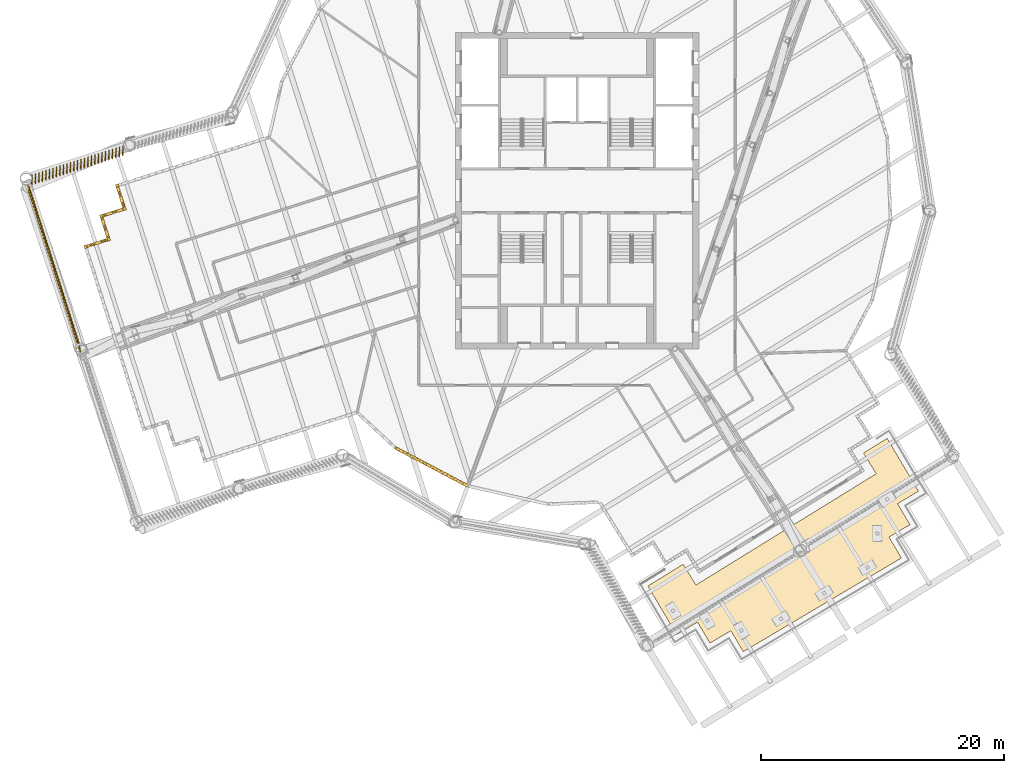
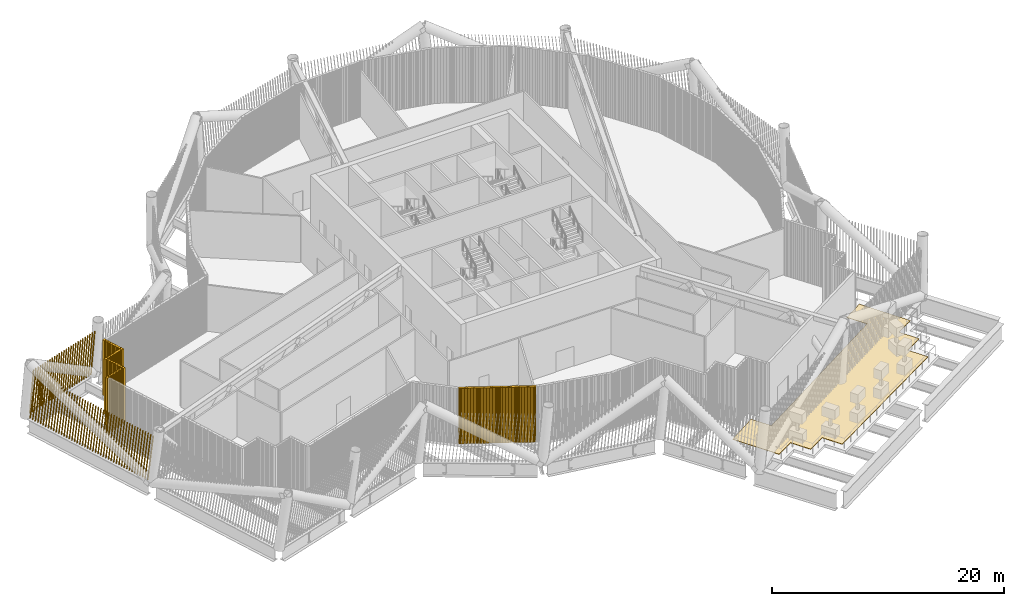
# One storey, part 32 of 40: 12 shading devices, 1 covering.
"""IFC4 building model written with IfcOpenShell, lengths in metres."""

from ifc_helpers import new_model, si_unit, direction, frame, frame_2d, origin, origin_2d, place, context, subcontext, project, spatial, polyline, rectangle, outline, composite_profile, extrude, material, layer, layer_set, type_object, element, save


model = new_model("IFC4")

# Units and contexts
model_context = context("Model", 3, precision=1e-05, world=origin(), true_north=direction((0.0, 1.0)))
body_context = subcontext(model_context, "Body", "Model", "MODEL_VIEW")
ifc_project = project(units=[si_unit("LENGTHUNIT", "METRE"), si_unit("AREAUNIT", "SQUARE_METRE"), si_unit("VOLUMEUNIT", "CUBIC_METRE"), si_unit("PLANEANGLEUNIT", "RADIAN"), si_unit("MASSUNIT", "GRAM", prefix="KILO")], contexts=[model_context])

# Site, building, storey
site_placement = place(None, origin())
site = spatial("IfcSite", under=ifc_project, at=site_placement, CompositionType="ELEMENT")
building_placement = place(site_placement, origin())
building = spatial("IfcBuilding", under=site, at=building_placement, Name="Tarsis Ring Headquarters", CompositionType="ELEMENT")
storey_placement = place(building_placement, frame((0.0, 0.0, 354.800048828125)))
storey = spatial("IfcBuildingStorey", under=building, at=storey_placement, Name="L84", CompositionType="ELEMENT", Elevation=354.800048828125)

# Shading devices
ifc_material_1 = material(Name="Aluminium louvre", Category="aluminium")
shading_device_type_1 = type_object("IfcShadingDeviceType", Name="Plant louvre fin", PredefinedType="USERDEFINED", material=ifc_material_1)
shading_device_1_placement = place(storey_placement, frame((-14.9443359375, -21.119140625, 0.0), z_axis=(0.0, 0.0, 1.0), x_axis=(0.884425395903, -0.466693302339, 0.0)))
element("IfcShadingDevice", 1, at=shading_device_1_placement, inside=storey, type_object=shading_device_type_1, Name="Louvre L84-03", ObjectType="Louvre", PredefinedType="USERDEFINED", context=body_context, shape_type="SweptSolid", body=[
    extrude(composite_profile([rectangle(XDim=0.1201171875, YDim=0.239990234375, at=frame_2d((0.076171875, 0.0), x_axis=(0.990268068742, 0.13917310096))), rectangle(XDim=0.1201171875, YDim=0.239990234375, at=frame_2d((0.202392578125, 0.0), x_axis=(0.990268068742, 0.13917310096))), rectangle(XDim=0.1201171875, YDim=0.239990234375, at=frame_2d((0.328857421875, 0.0), x_axis=(0.990268068742, 0.13917310096))), rectangle(XDim=0.1201171875, YDim=0.239990234375, at=frame_2d((0.455078125, 0.0), x_axis=(0.990268068742, 0.13917310096))), rectangle(XDim=0.1201171875, YDim=0.239990234375, at=frame_2d((0.58154296875, 0.0), x_axis=(0.990268068742, 0.13917310096))), rectangle(XDim=0.1201171875, YDim=0.239990234375, at=frame_2d((0.707763671875, 0.0), x_axis=(0.990268068742, 0.13917310096))), rectangle(XDim=0.1201171875, YDim=0.239990234375, at=frame_2d((0.834228515625, 0.0), x_axis=(0.990268068742, 0.13917310096))), rectangle(XDim=0.1201171875, YDim=0.239990234375, at=frame_2d((0.96044921875, 0.0), x_axis=(0.990268068742, 0.13917310096))), rectangle(XDim=0.1201171875, YDim=0.239990234375, at=frame_2d((1.0869140625, 0.0), x_axis=(0.990268068742, 0.13917310096))), rectangle(XDim=0.1201171875, YDim=0.239990234375, at=frame_2d((1.213134765625, 0.0), x_axis=(0.990268068742, 0.13917310096))), rectangle(XDim=0.1201171875, YDim=0.239990234375, at=frame_2d((1.339599609375, 0.0), x_axis=(0.990268068742, 0.13917310096))), rectangle(XDim=0.1201171875, YDim=0.239990234375, at=frame_2d((1.4658203125, 0.0), x_axis=(0.990268068742, 0.13917310096))), rectangle(XDim=0.1201171875, YDim=0.239990234375, at=frame_2d((1.59228515625, 0.0), x_axis=(0.990268068742, 0.13917310096))), rectangle(XDim=0.1201171875, YDim=0.239990234375, at=frame_2d((1.718505859375, 0.0), x_axis=(0.990268068742, 0.13917310096))), rectangle(XDim=0.1201171875, YDim=0.239990234375, at=frame_2d((1.8447265625, 0.0), x_axis=(0.990268068742, 0.13917310096))), rectangle(XDim=0.1201171875, YDim=0.239990234375, at=frame_2d((1.97119140625, 0.0), x_axis=(0.990268068742, 0.13917310096))), rectangle(XDim=0.1201171875, YDim=0.239990234375, at=frame_2d((2.097412109375, 0.0), x_axis=(0.990268068742, 0.13917310096))), rectangle(XDim=0.1201171875, YDim=0.239990234375, at=frame_2d((2.223876953125, 0.0), x_axis=(0.990268068742, 0.13917310096))), rectangle(XDim=0.1201171875, YDim=0.239990234375, at=frame_2d((2.35009765625, 0.0), x_axis=(0.990268068742, 0.13917310096))), rectangle(XDim=0.1201171875, YDim=0.239990234375, at=frame_2d((2.4765625, 0.0), x_axis=(0.990268068742, 0.13917310096))), rectangle(XDim=0.1201171875, YDim=0.239990234375, at=frame_2d((2.602783203125, 0.0), x_axis=(0.990268068742, 0.13917310096))), rectangle(XDim=0.1201171875, YDim=0.239990234375, at=frame_2d((2.729248046875, 0.0), x_axis=(0.990268068742, 0.13917310096))), rectangle(XDim=0.1201171875, YDim=0.239990234375, at=frame_2d((2.85546875, 0.0), x_axis=(0.990268068742, 0.13917310096))), rectangle(XDim=0.1201171875, YDim=0.239990234375, at=frame_2d((2.98193359375, 0.0), x_axis=(0.990268068742, 0.13917310096))), rectangle(XDim=0.1201171875, YDim=0.239990234375, at=frame_2d((3.108154296875, 0.0), x_axis=(0.990268068742, 0.13917310096))), rectangle(XDim=0.1201171875, YDim=0.239990234375, at=frame_2d((3.234619140625, 0.0), x_axis=(0.990268068742, 0.13917310096))), rectangle(XDim=0.1201171875, YDim=0.239990234375, at=frame_2d((3.36083984375, 0.0), x_axis=(0.990268068742, 0.13917310096))), rectangle(XDim=0.1201171875, YDim=0.239990234375, at=frame_2d((3.487060546875, 0.0), x_axis=(0.990268068742, 0.13917310096))), rectangle(XDim=0.1201171875, YDim=0.239990234375, at=frame_2d((3.613525390625, 0.0), x_axis=(0.990268068742, 0.13917310096))), rectangle(XDim=0.1201171875, YDim=0.239990234375, at=frame_2d((3.73974609375, 0.0), x_axis=(0.990268068742, 0.13917310096))), rectangle(XDim=0.1201171875, YDim=0.239990234375, at=frame_2d((3.8662109375, 0.0), x_axis=(0.990268068742, 0.13917310096))), rectangle(XDim=0.1201171875, YDim=0.239990234375, at=frame_2d((3.992431640625, 0.0), x_axis=(0.990268068742, 0.13917310096))), rectangle(XDim=0.1201171875, YDim=0.239990234375, at=frame_2d((4.118896484375, 0.0), x_axis=(0.990268068742, 0.13917310096))), rectangle(XDim=0.1201171875, YDim=0.239990234375, at=frame_2d((4.2451171875, 0.0), x_axis=(0.990268068742, 0.13917310096))), rectangle(XDim=0.1201171875, YDim=0.239990234375, at=frame_2d((4.37158203125, 0.0), x_axis=(0.990268068742, 0.13917310096))), rectangle(XDim=0.1201171875, YDim=0.239990234375, at=frame_2d((4.497802734375, 0.0), x_axis=(0.990268068742, 0.13917310096))), rectangle(XDim=0.1201171875, YDim=0.239990234375, at=frame_2d((4.624267578125, 0.0), x_axis=(0.990268068742, 0.13917310096))), rectangle(XDim=0.1201171875, YDim=0.239990234375, at=frame_2d((4.75048828125, 0.0), x_axis=(0.990268068742, 0.13917310096))), rectangle(XDim=0.1201171875, YDim=0.239990234375, at=frame_2d((4.876953125, 0.0), x_axis=(0.990268068742, 0.13917310096))), rectangle(XDim=0.1201171875, YDim=0.239990234375, at=frame_2d((5.003173828125, 0.0), x_axis=(0.990268068742, 0.13917310096))), rectangle(XDim=0.1201171875, YDim=0.239990234375, at=frame_2d((5.12939453125, 0.0), x_axis=(0.990268068742, 0.13917310096))), rectangle(XDim=0.1201171875, YDim=0.239990234375, at=frame_2d((5.255859375, 0.0), x_axis=(0.990268068742, 0.13917310096))), rectangle(XDim=0.1201171875, YDim=0.239990234375, at=frame_2d((5.382080078125, 0.0), x_axis=(0.990268068742, 0.13917310096))), rectangle(XDim=0.1201171875, YDim=0.239990234375, at=frame_2d((5.508544921875, 0.0), x_axis=(0.990268068742, 0.13917310096))), rectangle(XDim=0.1201171875, YDim=0.239990234375, at=frame_2d((5.634765625, 0.0), x_axis=(0.990268068742, 0.13917310096))), rectangle(XDim=0.1201171875, YDim=0.239990234375, at=frame_2d((5.76123046875, 0.0), x_axis=(0.990268068742, 0.13917310096))), rectangle(XDim=0.1201171875, YDim=0.239990234375, at=frame_2d((5.887451171875, 0.0), x_axis=(0.990268068742, 0.13917310096))), rectangle(XDim=0.1201171875, YDim=0.239990234375, at=frame_2d((6.013916015625, 0.0), x_axis=(0.990268068742, 0.13917310096))), rectangle(XDim=0.1201171875, YDim=0.239990234375, at=frame_2d((6.14013671875, 0.0), x_axis=(0.990268068742, 0.13917310096))), rectangle(XDim=0.1201171875, YDim=0.239990234375, at=frame_2d((6.2666015625, 0.0), x_axis=(0.990268068742, 0.13917310096))), rectangle(XDim=0.1201171875, YDim=0.239990234375, at=frame_2d((6.392822265625, 0.0), x_axis=(0.990268068742, 0.13917310096))), rectangle(XDim=0.1201171875, YDim=0.239990234375, at=frame_2d((6.519287109375, 0.0), x_axis=(0.990268068742, 0.13917310096))), rectangle(XDim=0.1201171875, YDim=0.239990234375, at=frame_2d((6.6455078125, 0.0), x_axis=(0.990268068742, 0.13917310096)))]), origin(), (0.0, 0.0, 1.0), 5.83984375),
])
for number, where, z_axis, x_axis, name in (
    (2, (-37.7490234375, 0.2998046875, 0.0), (0.0, 0.0, 1.0), (0.303668573023, -0.952713070163, 0.0), "Louvre L84-32"),
    (3, (-37.298583984375, -1.524658203125, 0.0), (0.0, 0.0, 1.0), (-0.952713070163, -0.303668573023, 0.0), "Louvre L84-33"),
    (4, (-39.047119140625, -2.213134765625, 0.0), (0.0, 0.0, 1.0), (0.303668573023, -0.952713070163, 0.0), "Louvre L84-34"),
    (5, (-38.596923828125, -4.03759765625, 0.0), (0.0, 0.0, 1.0), (-0.952706473214, -0.3037109375, 0.0), "Louvre L84-35"),
):
    element("IfcShadingDevice", number, at=place(storey_placement, frame(where, z_axis=z_axis, x_axis=x_axis)), inside=storey, type_object=shading_device_type_1, Name=name, ObjectType="Louvre", PredefinedType="USERDEFINED", context=body_context, shape_type="SweptSolid", body=[
        extrude(composite_profile([rectangle(XDim=0.1201171875, YDim=0.239990234375, at=frame_2d((0.078125, 0.0), x_axis=(0.987688340595, 0.15643446504))), rectangle(XDim=0.1201171875, YDim=0.239990234375, at=frame_2d((0.2109375, 0.0), x_axis=(0.987688340595, 0.15643446504))), rectangle(XDim=0.1201171875, YDim=0.239990234375, at=frame_2d((0.34375, 0.0), x_axis=(0.987688340595, 0.15643446504))), rectangle(XDim=0.1201171875, YDim=0.239990234375, at=frame_2d((0.4765625, 0.0), x_axis=(0.987688340595, 0.15643446504))), rectangle(XDim=0.1201171875, YDim=0.239990234375, at=frame_2d((0.609375, 0.0), x_axis=(0.987688340595, 0.15643446504))), rectangle(XDim=0.1201171875, YDim=0.239990234375, at=frame_2d((0.7421875, 0.0), x_axis=(0.987688340595, 0.15643446504))), rectangle(XDim=0.1201171875, YDim=0.239990234375, at=frame_2d((0.875, 0.0), x_axis=(0.987688340595, 0.15643446504))), rectangle(XDim=0.1201171875, YDim=0.239990234375, at=frame_2d((1.0078125, 0.0), x_axis=(0.987688340595, 0.15643446504))), rectangle(XDim=0.1201171875, YDim=0.239990234375, at=frame_2d((1.140625, 0.0), x_axis=(0.987688340595, 0.15643446504))), rectangle(XDim=0.1201171875, YDim=0.239990234375, at=frame_2d((1.2734375, 0.0), x_axis=(0.987688340595, 0.15643446504))), rectangle(XDim=0.1201171875, YDim=0.239990234375, at=frame_2d((1.40625, 0.0), x_axis=(0.987688340595, 0.15643446504))), rectangle(XDim=0.1201171875, YDim=0.239990234375, at=frame_2d((1.5390625, 0.0), x_axis=(0.987688340595, 0.15643446504))), rectangle(XDim=0.1201171875, YDim=0.239990234375, at=frame_2d((1.671875, 0.0), x_axis=(0.987688340595, 0.15643446504)))]), origin(), (0.0, 0.0, 1.0), 5.83984375),
    ])

# Covering
ifc_material_2 = material(Name="Porcelain terrace paving")
ifc_layer = layer(ifc_material_2, 0.0400390625)
ifc_layer_set = layer_set([ifc_layer], Name="Terrace paving 40")
covering_type = type_object("IfcCoveringType", Name="Terrace paving 40", PredefinedType="FLOORING", material=ifc_layer_set)
covering_placement = place(storey_placement, origin())
element("IfcCovering", 6, at=covering_placement, inside=storey, type_object=covering_type, Name="Terrace paving L84-1", PredefinedType="FLOORING", context=body_context, shape_type="SweptSolid", body=[
    extrude(outline(polyline([(5.81787109375, -32.48486328125), (8.71923828125, -30.694580078125), (9.76953125, -32.396484375), (24.576904296875, -23.258544921875), (23.526611328125, -21.556396484375), (25.479248046875, -20.3515625), (28.05517578125, -24.700439453125), (26.33447265625, -25.7197265625), (27.353759765625, -27.4404296875), (25.633056640625, -28.459716796875), (26.65234375, -30.180419921875), (13.660400390625, -37.8759765625), (12.64111328125, -36.1552734375), (10.92041015625, -37.174560546875), (9.901123046875, -35.453857421875), (8.180419921875, -36.47314453125), (5.81787109375, -32.48486328125)])), origin(), (0.0, 0.0, 1.0), 0.0400390625),
])

# Shading devices
ifc_material_3 = material(Name="Terracotta baguette", Category="masonry")
shading_device_type_2 = type_object("IfcShadingDeviceType", Name="Terracotta baguette screen", PredefinedType="USERDEFINED", material=ifc_material_3)
shading_device_2_placement = place(storey_placement, frame((-37.267822265625, 3.654296875, 0.0), z_axis=(0.0, 0.0, 1.0), x_axis=(-0.952761987148, -0.303695007415, 0.0)))
element("IfcShadingDevice", 7, at=shading_device_2_placement, inside=storey, type_object=shading_device_type_2, Name="Baguette screen L84-14", ObjectType="Terracotta baguette screen", PredefinedType="USERDEFINED", context=body_context, shape_type="SweptSolid", body=[
    extrude(composite_profile([rectangle(XDim=0.06005859375, YDim=0.1201171875, at=frame_2d((0.030029296875, 0.0))), rectangle(XDim=0.06005859375, YDim=0.1201171875, at=frame_2d((0.33154296875, 0.0))), rectangle(XDim=0.06005859375, YDim=0.1201171875, at=frame_2d((0.63330078125, 0.0))), rectangle(XDim=0.06005859375, YDim=0.1201171875, at=frame_2d((0.934814453125, 0.0))), rectangle(XDim=0.06005859375, YDim=0.1201171875, at=frame_2d((1.236572265625, 0.0))), rectangle(XDim=0.06005859375, YDim=0.1201171875, at=frame_2d((1.5380859375, 0.0))), rectangle(XDim=0.06005859375, YDim=0.1201171875, at=frame_2d((1.83984375, 0.0))), rectangle(XDim=0.06005859375, YDim=0.1201171875, at=frame_2d((2.141357421875, 0.0))), rectangle(XDim=0.06005859375, YDim=0.1201171875, at=frame_2d((2.443115234375, 0.0))), rectangle(XDim=0.06005859375, YDim=0.1201171875, at=frame_2d((2.74462890625, 0.0))), rectangle(XDim=0.06005859375, YDim=0.1201171875, at=frame_2d((3.04638671875, 0.0))), rectangle(XDim=0.06005859375, YDim=0.1201171875, at=frame_2d((3.347900390625, 0.0))), rectangle(XDim=0.06005859375, YDim=0.1201171875, at=frame_2d((3.649658203125, 0.0))), rectangle(XDim=0.06005859375, YDim=0.1201171875, at=frame_2d((3.951171875, 0.0))), rectangle(XDim=0.06005859375, YDim=0.1201171875, at=frame_2d((4.252685546875, 0.0))), rectangle(XDim=0.06005859375, YDim=0.1201171875, at=frame_2d((4.554443359375, 0.0))), rectangle(XDim=0.06005859375, YDim=0.1201171875, at=frame_2d((4.85595703125, 0.0))), rectangle(XDim=0.06005859375, YDim=0.1201171875, at=frame_2d((5.15771484375, 0.0))), rectangle(XDim=0.06005859375, YDim=0.1201171875, at=frame_2d((5.459228515625, 0.0))), rectangle(XDim=0.06005859375, YDim=0.1201171875, at=frame_2d((5.760986328125, 0.0))), rectangle(XDim=0.06005859375, YDim=0.1201171875, at=frame_2d((6.0625, 0.0))), rectangle(XDim=0.06005859375, YDim=0.1201171875, at=frame_2d((6.3642578125, 0.0))), rectangle(XDim=0.06005859375, YDim=0.1201171875, at=frame_2d((6.665771484375, 0.0))), rectangle(XDim=0.06005859375, YDim=0.1201171875, at=frame_2d((6.967529296875, 0.0))), rectangle(XDim=0.06005859375, YDim=0.1201171875, at=frame_2d((7.26904296875, 0.0))), rectangle(XDim=0.06005859375, YDim=0.1201171875, at=frame_2d((7.57080078125, 0.0))), rectangle(XDim=0.06005859375, YDim=0.1201171875, at=frame_2d((7.872314453125, 0.0)))]), origin(), (0.051081139155, 0.136022161191, 0.989388037571), 5.135009765625),
])
shading_device_3_placement = place(storey_placement, frame((-45.121337890625, 0.626220703125, 0.0), z_axis=(0.0, 0.0, 1.0), x_axis=(0.303688633348, -0.9527642636, 0.0)))
element("IfcShadingDevice", 8, at=shading_device_3_placement, inside=storey, type_object=shading_device_type_2, Name="Baguette screen L84-15", ObjectType="Terracotta baguette screen", PredefinedType="USERDEFINED", context=body_context, shape_type="SweptSolid", body=[
    extrude(composite_profile([rectangle(XDim=0.06005859375, YDim=0.1201171875, at=frame_2d((0.030029296875, 0.0))), rectangle(XDim=0.06005859375, YDim=0.1201171875, at=frame_2d((0.33544921875, 0.0))), rectangle(XDim=0.06005859375, YDim=0.1201171875, at=frame_2d((0.640625, 0.0))), rectangle(XDim=0.06005859375, YDim=0.1201171875, at=frame_2d((0.946044921875, 0.0))), rectangle(XDim=0.06005859375, YDim=0.1201171875, at=frame_2d((1.25146484375, 0.0))), rectangle(XDim=0.06005859375, YDim=0.1201171875, at=frame_2d((1.556640625, 0.0))), rectangle(XDim=0.06005859375, YDim=0.1201171875, at=frame_2d((1.862060546875, 0.0))), rectangle(XDim=0.06005859375, YDim=0.1201171875, at=frame_2d((2.16748046875, 0.0))), rectangle(XDim=0.06005859375, YDim=0.1201171875, at=frame_2d((2.47265625, 0.0))), rectangle(XDim=0.06005859375, YDim=0.1201171875, at=frame_2d((2.778076171875, 0.0))), rectangle(XDim=0.06005859375, YDim=0.1201171875, at=frame_2d((3.08349609375, 0.0))), rectangle(XDim=0.06005859375, YDim=0.1201171875, at=frame_2d((3.388671875, 0.0))), rectangle(XDim=0.06005859375, YDim=0.1201171875, at=frame_2d((3.694091796875, 0.0))), rectangle(XDim=0.06005859375, YDim=0.1201171875, at=frame_2d((3.99951171875, 0.0))), rectangle(XDim=0.06005859375, YDim=0.1201171875, at=frame_2d((4.3046875, 0.0))), rectangle(XDim=0.06005859375, YDim=0.1201171875, at=frame_2d((4.610107421875, 0.0))), rectangle(XDim=0.06005859375, YDim=0.1201171875, at=frame_2d((4.91552734375, 0.0))), rectangle(XDim=0.06005859375, YDim=0.1201171875, at=frame_2d((5.220703125, 0.0))), rectangle(XDim=0.06005859375, YDim=0.1201171875, at=frame_2d((5.526123046875, 0.0))), rectangle(XDim=0.06005859375, YDim=0.1201171875, at=frame_2d((5.83154296875, 0.0))), rectangle(XDim=0.06005859375, YDim=0.1201171875, at=frame_2d((6.13671875, 0.0))), rectangle(XDim=0.06005859375, YDim=0.1201171875, at=frame_2d((6.442138671875, 0.0))), rectangle(XDim=0.06005859375, YDim=0.1201171875, at=frame_2d((6.74755859375, 0.0))), rectangle(XDim=0.06005859375, YDim=0.1201171875, at=frame_2d((7.052734375, 0.0))), rectangle(XDim=0.06005859375, YDim=0.1201171875, at=frame_2d((7.358154296875, 0.0))), rectangle(XDim=0.06005859375, YDim=0.1201171875, at=frame_2d((7.66357421875, 0.0))), rectangle(XDim=0.06005859375, YDim=0.1201171875, at=frame_2d((7.96875, 0.0))), rectangle(XDim=0.06005859375, YDim=0.1201171875, at=frame_2d((8.274169921875, 0.0))), rectangle(XDim=0.06005859375, YDim=0.1201171875, at=frame_2d((8.57958984375, 0.0))), rectangle(XDim=0.06005859375, YDim=0.1201171875, at=frame_2d((8.884765625, 0.0))), rectangle(XDim=0.06005859375, YDim=0.1201171875, at=frame_2d((9.190185546875, 0.0))), rectangle(XDim=0.06005859375, YDim=0.1201171875, at=frame_2d((9.49560546875, 0.0))), rectangle(XDim=0.06005859375, YDim=0.1201171875, at=frame_2d((9.80078125, 0.0))), rectangle(XDim=0.06005859375, YDim=0.1201171875, at=frame_2d((10.106201171875, 0.0))), rectangle(XDim=0.06005859375, YDim=0.1201171875, at=frame_2d((10.41162109375, 0.0))), rectangle(XDim=0.06005859375, YDim=0.1201171875, at=frame_2d((10.716796875, 0.0))), rectangle(XDim=0.06005859375, YDim=0.1201171875, at=frame_2d((11.022216796875, 0.0))), rectangle(XDim=0.06005859375, YDim=0.1201171875, at=frame_2d((11.32763671875, 0.0))), rectangle(XDim=0.06005859375, YDim=0.1201171875, at=frame_2d((11.6328125, 0.0))), rectangle(XDim=0.06005859375, YDim=0.1201171875, at=frame_2d((11.938232421875, 0.0))), rectangle(XDim=0.06005859375, YDim=0.1201171875, at=frame_2d((12.24365234375, 0.0))), rectangle(XDim=0.06005859375, YDim=0.1201171875, at=frame_2d((12.548828125, 0.0))), rectangle(XDim=0.06005859375, YDim=0.1201171875, at=frame_2d((12.854248046875, 0.0))), rectangle(XDim=0.06005859375, YDim=0.1201171875, at=frame_2d((13.15966796875, 0.0))), rectangle(XDim=0.06005859375, YDim=0.1201171875, at=frame_2d((13.46484375, 0.0))), rectangle(XDim=0.06005859375, YDim=0.1201171875, at=frame_2d((13.770263671875, 0.0)))]), origin(), (0.151331943087, -0.024750900983, 0.988173079932), 5.141357421875),
])
shading_device_type_3 = type_object("IfcShadingDeviceType", Name="Terracotta corner baguette 250x250", PredefinedType="USERDEFINED", material=ifc_material_3)
for number, where, z_axis, x_axis, name in (
    (9, (-37.786865234375, 0.4189453125, 0.0), (0.0, 0.0, 1.0), (-0.952767561372, -0.303700467562, 0.0), "Corner baguette L84-32"),
    (10, (-37.1796875, -1.486572265625, 0.0), (0.0, 0.0, 1.0), (0.303700367788, -0.952767593176, 0.0), "Corner baguette L84-33"),
    (11, (-39.085205078125, -2.093994140625, 0.0), (0.0, 0.0, 1.0), (-0.95276754547, -0.303700517448, 0.0), "Corner baguette L84-34"),
    (12, (-38.477783203125, -3.99951171875, 0.0), (0.0, 0.0, 1.0), (0.303700517448, -0.95276754547, 0.0), "Corner baguette L84-35"),
    (13, (-40.38330078125, -4.60693359375, 0.0), (0.0, 0.0, 1.0), (-0.95276754547, -0.303700517448, 0.0), "Corner baguette L84-36"),
):
    element("IfcShadingDevice", number, at=place(storey_placement, frame(where, z_axis=z_axis, x_axis=x_axis)), inside=storey, type_object=shading_device_type_3, Name=name, ObjectType="Terracotta corner baguette", PredefinedType="USERDEFINED", context=body_context, shape_type="SweptSolid", body=[
        extrude(rectangle(XDim=0.25, YDim=0.25, at=origin_2d()), origin(), (0.0, 0.0, 1.0), 5.840087890625),
    ])

save(model, "model.ifc")
